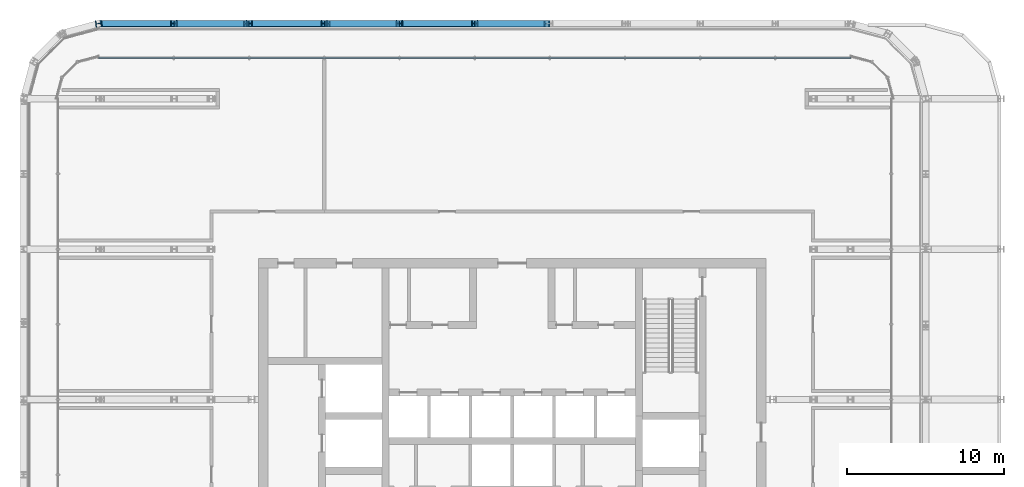
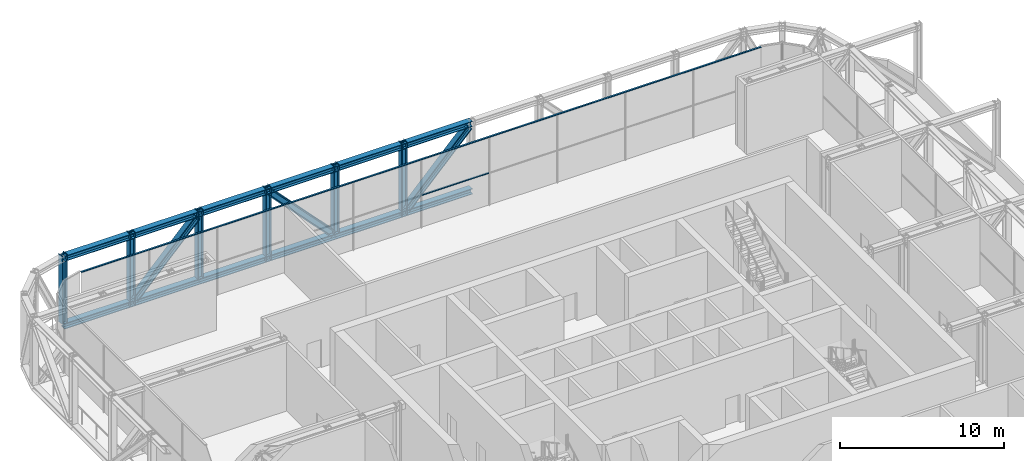
# One storey, part 13 of 26: 23 members, 1 element without a shape of its own.
"""IFC4 building model written with IfcOpenShell, lengths in metres."""

from ifc_helpers import new_model, si_unit, direction, frame, origin, origin_2d, place, context, subcontext, project, spatial, rectangle, i_section, extrude, material, layer, layer_set, material_profile, profile_set, type_object, element, aggregate, save


model = new_model("IFC4")

# Units and contexts
model_context = context("Model", 3, precision=1e-05, world=origin(), true_north=direction((0.0, 1.0)))
body_context = subcontext(model_context, "Body", "Model", "MODEL_VIEW")
ifc_project = project(units=[si_unit("LENGTHUNIT", "METRE"), si_unit("AREAUNIT", "SQUARE_METRE"), si_unit("VOLUMEUNIT", "CUBIC_METRE"), si_unit("PLANEANGLEUNIT", "RADIAN"), si_unit("MASSUNIT", "GRAM", prefix="KILO")], contexts=[model_context])

# Site, building, storey
site_placement = place(None, origin())
site = spatial("IfcSite", under=ifc_project, at=site_placement, CompositionType="ELEMENT")
building_placement = place(site_placement, origin())
building = spatial("IfcBuilding", under=site, at=building_placement, Name="Madar Terraces", CompositionType="ELEMENT")
storey_placement = place(building_placement, frame((0.0, 0.0, 233.300048828125)))
storey = spatial("IfcBuildingStorey", under=building, at=storey_placement, Name="L61", CompositionType="ELEMENT", Elevation=233.300048828125)

# Members
ifc_material_1 = material(Name="Steel ASTM A992 Grade 50", Category="steel")
ifc_material_profile_1 = material_profile(ifc_material_1, i_section(OverallWidth=0.408935546875, OverallDepth=0.424072265625, WebThickness=0.03271484375, FlangeThickness=0.052490234375, at=origin_2d()), Name="W14x283")
ifc_profile_set_1 = profile_set([ifc_material_profile_1], Name="Steel ASTM A992 Grade 50")
member_type_1 = type_object("IfcMemberType", Name="BC8 W14x283", PredefinedType="CHORD", material=ifc_profile_set_1)
for number, where, z_axis, x_axis, name in (
    (1, (33.60009765625, 52.800048828125, -0.2080078125), (-1.0, 0.0, 0.0), (0.0, -1.0, 0.0), "Exoskeleton truss ring bottom chord BC8"),
    (2, (28.800048828125, 52.800048828125, -0.2080078125), (-1.0, 0.0, 0.0), (0.0, -1.0, 0.0), "Exoskeleton truss ring bottom chord BC8"),
    (3, (24.0, 52.800048828125, -0.2080078125), (-1.0, 0.0, 0.0), (0.0, -1.0, 0.0), "Exoskeleton truss ring bottom chord BC8"),
    (4, (19.199951171875, 52.800048828125, -0.2080078125), (-1.0, 0.0, 0.0), (0.0, -1.0, 0.0), "Exoskeleton truss ring bottom chord BC8"),
):
    element("IfcMember", number, at=place(storey_placement, frame(where, z_axis=z_axis, x_axis=x_axis)), inside=storey, type_object=member_type_1, Name=name, PredefinedType="CHORD", context=body_context, shape_type="SweptSolid", body=[
        extrude(i_section(OverallWidth=0.408935546875, OverallDepth=0.424072265625, WebThickness=0.03271484375, FlangeThickness=0.052490234375, at=origin_2d()), origin(), (0.0, 0.0, 1.0), 4.800048828125),
    ])
member_1_placement = place(storey_placement, frame((14.39990234375, 52.800048828125, -0.2080078125), z_axis=(-1.0, 0.0, 0.0), x_axis=(0.0, -1.0, 0.0)))
element("IfcMember", 5, at=member_1_placement, inside=storey, type_object=member_type_1, Name="Exoskeleton truss ring bottom chord BC8", PredefinedType="CHORD", context=body_context, shape_type="SweptSolid", body=[
    extrude(i_section(OverallWidth=0.408935546875, OverallDepth=0.424072265625, WebThickness=0.03271484375, FlangeThickness=0.052490234375, at=origin_2d()), origin(), (0.0, 0.0, 1.0), 4.7998046875),
])
member_2_placement = place(storey_placement, frame((9.60009765625, 52.800048828125, -0.2080078125), z_axis=(-1.0, 0.0, 0.0), x_axis=(0.0, -1.0, 0.0)))
element("IfcMember", 6, at=member_2_placement, inside=storey, type_object=member_type_1, Name="Exoskeleton truss ring bottom chord BC8", PredefinedType="CHORD", context=body_context, shape_type="SweptSolid", body=[
    extrude(i_section(OverallWidth=0.408935546875, OverallDepth=0.424072265625, WebThickness=0.03271484375, FlangeThickness=0.052490234375, at=origin_2d()), origin(), (0.0, 0.0, 1.0), 4.800048828125),
])

# Curtain wall, members
ifc_material_2 = material(Name="Glass, ceramic frit dark grey, with black aluminium frame", Category="aluminium")
ifc_layer = layer(ifc_material_2, 0.199951171875)
ifc_layer_set = layer_set([ifc_layer], Name="Facade curtain wall, tall glazing")
curtain_wall_type = type_object("IfcCurtainWallType", Name="Facade curtain wall, tall glazing", PredefinedType="NOTDEFINED", material=ifc_layer_set)
curtain_wall_placement = place(storey_placement, origin())
curtain_wall = element("IfcCurtainWall", 7, at=curtain_wall_placement, inside=storey, type_object=curtain_wall_type, Name="Outer skin curtain wall north bay 1", PredefinedType="NOTDEFINED")
ifc_material_3 = material(Name="Aluminium, black anodised", Category="aluminium")
ifc_material_profile_2 = material_profile(ifc_material_3, rectangle(XDim=0.1201171875, YDim=0.06005859375, at=origin_2d()), Name="Facade transom 60x120")
ifc_profile_set_2 = profile_set([ifc_material_profile_2], Name="Aluminium, black anodised")
member_type_2 = type_object("IfcMemberType", Name="Facade transom 60x120", PredefinedType="USERDEFINED", material=ifc_profile_set_2)
member_3_placement = place(storey_placement, frame((52.800048828125, 50.60009765625, 5.070068359375), z_axis=(-1.0, 0.0, 0.0), x_axis=(0.0, -1.0, 0.0)))
member_3 = element("IfcMember", 8, at=member_3_placement, type_object=member_type_2, Name="Transom 1", ObjectType="TRANSOM", PredefinedType="USERDEFINED", context=body_context, shape_type="SweptSolid", body=[
    extrude(rectangle(XDim=0.1201171875, YDim=0.06005859375, at=origin_2d()), origin(), (0.0, 0.0, 1.0), 48.0),
])
member_4_placement = place(storey_placement, frame((33.570068359375, 50.60009765625, 2.39990234375), z_axis=(-1.0, 0.0, 0.0), x_axis=(0.0, -1.0, 0.0)))
member_4 = element("IfcMember", 9, at=member_4_placement, type_object=member_type_2, Name="Transom 6", ObjectType="TRANSOM", PredefinedType="USERDEFINED", context=body_context, shape_type="SweptSolid", body=[
    extrude(rectangle(XDim=0.1201171875, YDim=0.06005859375, at=origin_2d()), origin(), (0.0, 0.0, 1.0), 4.739990234375),
])
aggregate(curtain_wall, [member_3, member_4])

# Members
ifc_material_4 = material(Name="Steel ASTM A992 Grade 50", Category="steel")
ifc_material_profile_3 = material_profile(ifc_material_4, i_section(OverallWidth=0.40380859375, OverallDepth=0.406494140625, WebThickness=0.027099609375, FlangeThickness=0.043701171875, at=origin_2d()), Name="W14x233")
ifc_profile_set_3 = profile_set([ifc_material_profile_3], Name="Steel ASTM A992 Grade 50")
member_type_3 = type_object("IfcMemberType", Name="TC8 W14x233", PredefinedType="CHORD", material=ifc_profile_set_3)
for number, where, z_axis, x_axis, name in (
    (10, (33.60009765625, 52.800048828125, 4.82666015625), (-1.0, 0.0, 0.0), (0.0, -1.0, 0.0), "Exoskeleton truss ring top chord TC8"),
    (11, (28.800048828125, 52.800048828125, 4.82666015625), (-1.0, 0.0, 0.0), (0.0, -1.0, 0.0), "Exoskeleton truss ring top chord TC8"),
    (12, (24.0, 52.800048828125, 4.82666015625), (-1.0, 0.0, 0.0), (0.0, -1.0, 0.0), "Exoskeleton truss ring top chord TC8"),
    (13, (19.199951171875, 52.800048828125, 4.82666015625), (-1.0, 0.0, 0.0), (0.0, -1.0, 0.0), "Exoskeleton truss ring top chord TC8"),
):
    element("IfcMember", number, at=place(storey_placement, frame(where, z_axis=z_axis, x_axis=x_axis)), inside=storey, type_object=member_type_3, Name=name, PredefinedType="CHORD", context=body_context, shape_type="SweptSolid", body=[
        extrude(i_section(OverallWidth=0.40380859375, OverallDepth=0.406494140625, WebThickness=0.027099609375, FlangeThickness=0.043701171875, at=origin_2d()), origin(), (0.0, 0.0, 1.0), 4.800048828125),
    ])
member_5_placement = place(storey_placement, frame((14.39990234375, 52.800048828125, 4.82666015625), z_axis=(-1.0, 0.0, 0.0), x_axis=(0.0, -1.0, 0.0)))
element("IfcMember", 14, at=member_5_placement, inside=storey, type_object=member_type_3, Name="Exoskeleton truss ring top chord TC8", PredefinedType="CHORD", context=body_context, shape_type="SweptSolid", body=[
    extrude(i_section(OverallWidth=0.40380859375, OverallDepth=0.406494140625, WebThickness=0.027099609375, FlangeThickness=0.043701171875, at=origin_2d()), origin(), (0.0, 0.0, 1.0), 4.7998046875),
])
member_6_placement = place(storey_placement, frame((9.60009765625, 52.800048828125, 4.82666015625), z_axis=(-1.0, 0.0, 0.0), x_axis=(0.0, -1.0, 0.0)))
element("IfcMember", 15, at=member_6_placement, inside=storey, type_object=member_type_3, Name="Exoskeleton truss ring top chord TC8", PredefinedType="CHORD", context=body_context, shape_type="SweptSolid", body=[
    extrude(i_section(OverallWidth=0.40380859375, OverallDepth=0.406494140625, WebThickness=0.027099609375, FlangeThickness=0.043701171875, at=origin_2d()), origin(), (0.0, 0.0, 1.0), 4.800048828125),
])
ifc_material_5 = material(Name="Steel ASTM A992 Grade 50", Category="steel")
ifc_material_profile_4 = material_profile(ifc_material_5, i_section(OverallWidth=0.419189453125, OverallDepth=0.45458984375, WebThickness=0.042236328125, FlangeThickness=0.067626953125, at=origin_2d()), Name="W14x370")
ifc_profile_set_4 = profile_set([ifc_material_profile_4], Name="Steel ASTM A992 Grade 50")
member_type_4 = type_object("IfcMemberType", Name="TD8 W14x370", PredefinedType="BRACE", material=ifc_profile_set_4)
for number, where, z_axis, x_axis, name in (
    (16, (33.40625, 52.800048828125, 4.62353515625), (-0.690036191516, 0.0, -0.723774864442), (0.0, -1.0, 0.0), "Exoskeleton truss ring diagonal TD8"),
    (17, (23.7978515625, 52.800048828125, 0.004150390625), (-0.690036191516, 0.0, 0.723774864442), (0.0, -1.0, 0.0), "Exoskeleton truss ring diagonal TD8"),
    (18, (14.206298828125, 52.800048828125, 4.62353515625), (-0.690036191516, 0.0, -0.723774864442), (0.0, -1.0, 0.0), "Exoskeleton truss ring diagonal TD8"),
):
    element("IfcMember", number, at=place(storey_placement, frame(where, z_axis=z_axis, x_axis=x_axis)), inside=storey, type_object=member_type_4, Name=name, PredefinedType="BRACE", context=body_context, shape_type="SweptSolid", body=[
        extrude(i_section(OverallWidth=0.419189453125, OverallDepth=0.45458984375, WebThickness=0.042236328125, FlangeThickness=0.067626953125, at=origin_2d()), origin(), (0.0, 0.0, 1.0), 6.38232421875),
    ])
ifc_material_6 = material(Name="Steel ASTM A992 Grade 50", Category="steel")
ifc_material_profile_5 = material_profile(ifc_material_6, i_section(OverallWidth=0.398681640625, OverallDepth=0.393798828125, WebThickness=0.022705078125, FlangeThickness=0.03662109375, at=origin_2d()), Name="W14x193")
ifc_profile_set_5 = profile_set([ifc_material_profile_5], Name="Steel ASTM A992 Grade 50")
member_type_5 = type_object("IfcMemberType", Name="TV8 W14x193", PredefinedType="POST", material=ifc_profile_set_5)
member_7_placement = place(storey_placement, frame((28.800048828125, 52.800048828125, -0.420166015625), z_axis=(0.0, 0.0, 1.0), x_axis=(0.0, -1.0, 0.0)))
element("IfcMember", 19, at=member_7_placement, inside=storey, type_object=member_type_5, Name="Exoskeleton truss ring post TV8", PredefinedType="POST", context=body_context, shape_type="SweptSolid", body=[
    extrude(i_section(OverallWidth=0.398681640625, OverallDepth=0.393798828125, WebThickness=0.022705078125, FlangeThickness=0.03662109375, at=origin_2d()), origin(), (0.0, 0.0, 1.0), 5.52001953125),
])
member_8_placement = place(storey_placement, frame((24.0, 52.800048828125, 0.004150390625), z_axis=(0.0, 0.0, 1.0), x_axis=(0.0, -1.0, 0.0)))
element("IfcMember", 20, at=member_8_placement, inside=storey, type_object=member_type_5, Name="Exoskeleton truss ring post TV8", PredefinedType="POST", context=body_context, shape_type="SweptSolid", body=[
    extrude(i_section(OverallWidth=0.398681640625, OverallDepth=0.393798828125, WebThickness=0.022705078125, FlangeThickness=0.03662109375, at=origin_2d()), origin(), (0.0, 0.0, 1.0), 5.095703125),
])
member_9_placement = place(storey_placement, frame((19.199951171875, 52.800048828125, -0.420166015625), z_axis=(0.0, 0.0, 1.0), x_axis=(0.0, -1.0, 0.0)))
element("IfcMember", 21, at=member_9_placement, inside=storey, type_object=member_type_5, Name="Exoskeleton truss ring post TV8", PredefinedType="POST", context=body_context, shape_type="SweptSolid", body=[
    extrude(i_section(OverallWidth=0.398681640625, OverallDepth=0.393798828125, WebThickness=0.022705078125, FlangeThickness=0.03662109375, at=origin_2d()), origin(), (0.0, 0.0, 1.0), 5.52001953125),
])
member_10_placement = place(storey_placement, frame((14.39990234375, 52.800048828125, 0.004150390625), z_axis=(0.0, 0.0, 1.0), x_axis=(0.0, -1.0, 0.0)))
element("IfcMember", 22, at=member_10_placement, inside=storey, type_object=member_type_5, Name="Exoskeleton truss ring post TV8", PredefinedType="POST", context=body_context, shape_type="SweptSolid", body=[
    extrude(i_section(OverallWidth=0.398681640625, OverallDepth=0.393798828125, WebThickness=0.022705078125, FlangeThickness=0.03662109375, at=origin_2d()), origin(), (0.0, 0.0, 1.0), 5.095703125),
])
member_11_placement = place(storey_placement, frame((9.60009765625, 52.800048828125, -0.420166015625), z_axis=(0.0, 0.0, 1.0), x_axis=(0.0, -1.0, 0.0)))
element("IfcMember", 23, at=member_11_placement, inside=storey, type_object=member_type_5, Name="Exoskeleton truss ring post TV8", PredefinedType="POST", context=body_context, shape_type="SweptSolid", body=[
    extrude(i_section(OverallWidth=0.398681640625, OverallDepth=0.393798828125, WebThickness=0.022705078125, FlangeThickness=0.03662109375, at=origin_2d()), origin(), (0.0, 0.0, 1.0), 5.52001953125),
])
member_12_placement = place(storey_placement, frame((4.800048828125, 52.800048828125, 0.004150390625), z_axis=(0.0, 0.0, 1.0), x_axis=(0.130526174916, -0.991444863652, 0.0)))
element("IfcMember", 24, at=member_12_placement, inside=storey, type_object=member_type_5, Name="Exoskeleton truss ring post TV8", PredefinedType="POST", context=body_context, shape_type="SweptSolid", body=[
    extrude(i_section(OverallWidth=0.398681640625, OverallDepth=0.393798828125, WebThickness=0.022705078125, FlangeThickness=0.03662109375, at=origin_2d()), origin(), (0.0, 0.0, 1.0), 5.095703125),
])

save(model, "model.ifc")
